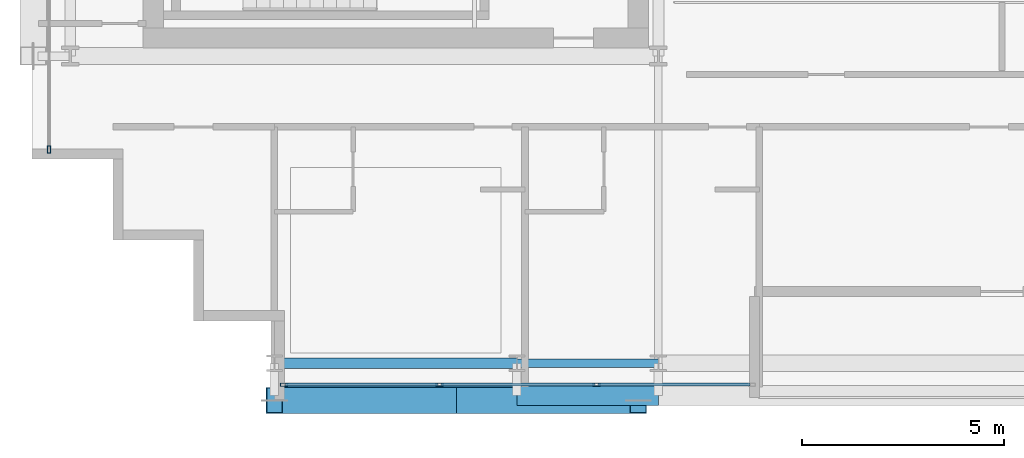
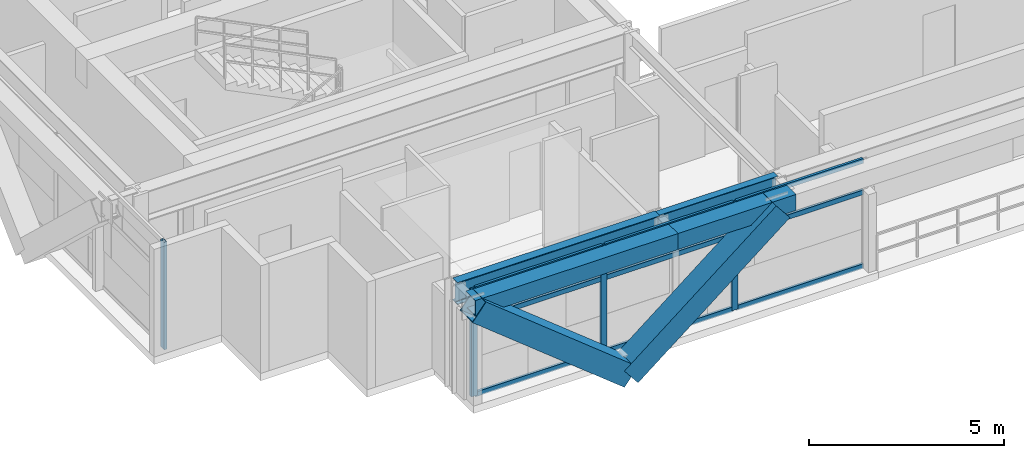
# One storey, part 2 of 32: 15 members, 4 beams, 2 elements without a shape of their own.
"""IFC4 building model written with IfcOpenShell, lengths in metres."""

from ifc_helpers import new_model, si_unit, direction, frame, origin, origin_2d, place, context, subcontext, project, spatial, hollow_rectangle, i_section, extrude, source, transform, mapped, material, layer, layer_set, material_profile, profile_set, type_object, element, aggregate, save


model = new_model("IFC4")

# Units and contexts
model_context = context("Model", 3, precision=1e-05, world=origin(), true_north=direction((0.0, 1.0)))
body_context = subcontext(model_context, "Body", "Model", "MODEL_VIEW")
ifc_project = project(units=[si_unit("LENGTHUNIT", "METRE"), si_unit("AREAUNIT", "SQUARE_METRE"), si_unit("VOLUMEUNIT", "CUBIC_METRE"), si_unit("PLANEANGLEUNIT", "RADIAN"), si_unit("MASSUNIT", "GRAM", prefix="KILO")], contexts=[model_context])

# Site, building, storey
site_placement = place(None, origin())
site = spatial("IfcSite", under=ifc_project, at=site_placement, CompositionType="ELEMENT")
building_placement = place(site_placement, origin())
building = spatial("IfcBuilding", under=site, at=building_placement, Name="Ocotamira Hotel", CompositionType="ELEMENT")
storey_placement = place(building_placement, frame((0.0, 0.0, 177.60009765625)))
storey = spatial("IfcBuildingStorey", under=building, at=storey_placement, Name="L44", CompositionType="ELEMENT", Elevation=177.60009765625)

# Beams
ifc_material_1 = material(Name="Steel ASTM A992 Grade 50", Category="steel")
ifc_material_profile_1 = material_profile(ifc_material_1, i_section(OverallWidth=0.256103515625, OverallDepth=0.693115234375, WebThickness=0.014404296875, FlangeThickness=0.023681640625, FilletRadius=0.01611328125, at=origin_2d()), Name="W27X114")
ifc_profile_set_1 = profile_set([ifc_material_profile_1], Name="Steel ASTM A992 Grade 50")
beam_type_1 = type_object("IfcBeamType", Name="BM-PRIM-W27X114", PredefinedType="BEAM", material=ifc_profile_set_1)
shared_shape_1 = source(origin(), body_context, "Body", "SweptSolid", [
    extrude(i_section(OverallWidth=0.256103515625, OverallDepth=0.693115234375, WebThickness=0.014404296875, FlangeThickness=0.023681640625, FilletRadius=0.01611328125, at=origin_2d()), origin(), (0.0, 0.0, 1.0), 6.0),
])
beam_1_placement = place(storey_placement, frame((14.0, 6.949951171875, 3.0234375), z_axis=(1.0, 0.0, 0.0), x_axis=(0.0, 1.0, 0.0)))
element("IfcBeam", 1, at=beam_1_placement, inside=storey, type_object=beam_type_1, Name="L44 Girder Y6.95 X14-20", PredefinedType="BEAM", context=body_context, shape_type="MappedRepresentation", body=[
    mapped(shared_shape_1, transform((0.0, 0.0, 0.0), scale=1.0)),
])
ifc_material_profile_2 = material_profile(ifc_material_1, i_section(OverallWidth=0.2099609375, OverallDepth=0.537109375, WebThickness=0.010986328125, FlangeThickness=0.017333984375, FilletRadius=0.012939453125, at=origin_2d()), Name="W21X68")
ifc_profile_set_2 = profile_set([ifc_material_profile_2], Name="Steel ASTM A992 Grade 50")
beam_type_2 = type_object("IfcBeamType", Name="BM-SEC-W21X68", PredefinedType="JOIST", material=ifc_profile_set_2)
shared_shape_2 = source(origin(), body_context, "Body", "SweptSolid", [
    extrude(i_section(OverallWidth=0.2099609375, OverallDepth=0.537109375, WebThickness=0.010986328125, FlangeThickness=0.017333984375, FilletRadius=0.012939453125, at=origin_2d()), origin(), (0.0, 0.0, 1.0), 3.5),
])
beam_2_placement = place(storey_placement, frame((20.0, 6.949951171875, 3.101318359375), z_axis=(1.0, 0.0, 0.0), x_axis=(0.0, 1.0, 0.0)))
element("IfcBeam", 2, at=beam_2_placement, inside=storey, type_object=beam_type_2, Name="L44 Girder Y6.95 X20-23.5", PredefinedType="JOIST", context=body_context, shape_type="MappedRepresentation", body=[
    mapped(shared_shape_2, transform((0.0, 0.0, 0.0), scale=1.0)),
])
ifc_material_2 = material(Name="Steel ASTM A500 Grade C", Category="steel")
ifc_material_profile_3 = material_profile(ifc_material_2, hollow_rectangle(XDim=0.5, YDim=0.5, WallThickness=0.02001953125, at=origin_2d()), Name="HSS500X500X20")
ifc_profile_set_3 = profile_set([ifc_material_profile_3], Name="Steel ASTM A500 Grade C")
beam_type_3 = type_object("IfcBeamType", Name="BM-SPAN-HSS500", PredefinedType="USERDEFINED", material=ifc_profile_set_3)
shared_shape_3 = source(origin(), body_context, "Body", "SweptSolid", [
    extrude(hollow_rectangle(XDim=0.5, YDim=0.5, WallThickness=0.02001953125, at=origin_2d()), origin(), (0.0, 0.0, 1.0), 6.0),
])
beam_3_placement = place(storey_placement, frame((14.0, 6.14990234375, 3.119873046875), z_axis=(1.0, 0.0, 0.0), x_axis=(0.0, 1.0, 0.0)))
element("IfcBeam", 3, at=beam_3_placement, inside=storey, type_object=beam_type_3, Name="L44 Edge Spandrel S X14-20", ObjectType="SPANDREL", PredefinedType="USERDEFINED", context=body_context, shape_type="MappedRepresentation", body=[
    mapped(shared_shape_3, transform((0.0, 0.0, 0.0), scale=1.0)),
])
shared_shape_4 = source(origin(), body_context, "Body", "SweptSolid", [
    extrude(hollow_rectangle(XDim=0.5, YDim=0.5, WallThickness=0.02001953125, at=origin_2d()), origin(), (0.0, 0.0, 1.0), 3.5),
])
beam_4_placement = place(storey_placement, frame((20.0, 6.14990234375, 3.119873046875), z_axis=(1.0, 0.0, 0.0), x_axis=(0.0, 1.0, 0.0)))
element("IfcBeam", 4, at=beam_4_placement, inside=storey, type_object=beam_type_3, Name="L44 Edge Spandrel S X20-23.5", ObjectType="SPANDREL", PredefinedType="USERDEFINED", context=body_context, shape_type="MappedRepresentation", body=[
    mapped(shared_shape_4, transform((0.0, 0.0, 0.0), scale=1.0)),
])

# Members
ifc_material_3 = material(Name="Pale-metal coated steel ASTM A913 Grade 65", Category="steel")
ifc_material_profile_4 = material_profile(ifc_material_3, hollow_rectangle(XDim=0.64990234375, YDim=0.64990234375, WallThickness=0.02197265625, at=origin_2d()), Name="BOX650X650X22")
ifc_profile_set_4 = profile_set([ifc_material_profile_4], Name="Pale-metal coated steel ASTM A913 Grade 65")
member_type_1 = type_object("IfcMemberType", Name="MEM-EXO-BOX650", PredefinedType="BRACE", material=ifc_profile_set_4)
shared_shape_5 = source(origin(), body_context, "Body", "SweptSolid", [
    extrude(hollow_rectangle(XDim=0.64990234375, YDim=0.64990234375, WallThickness=0.02197265625, at=origin_2d()), origin(), (0.0, 0.0, 1.0), 5.7626953125),
])
for number, where, z_axis, x_axis, name in (
    (5, (18.5, 6.030029296875, -0.47998046875), (-0.780881208953, 0.0, 0.624679547852), (0.0, -1.0, 0.0), "L44 Exoskeleton Diagrid S0.1"),
    (6, (18.5, 6.030029296875, -0.47998046875), (0.780881208953, 0.0, 0.624679547852), (0.0, 1.0, 0.0), "L44 Exoskeleton Diagrid S0.2"),
):
    element("IfcMember", number, at=place(storey_placement, frame(where, z_axis=z_axis, x_axis=x_axis)), inside=storey, type_object=member_type_1, Name=name, PredefinedType="BRACE", context=body_context, shape_type="MappedRepresentation", body=[
        mapped(shared_shape_5, transform((0.0, 0.0, 0.0), scale=1.0)),
    ])

# Curtain wall, members
ifc_material_4 = material(Name="Anodised pale-metal aluminium and solar glass", Category="aluminium")
ifc_layer = layer(ifc_material_4, 0.199951171875)
ifc_layer_set = layer_set([ifc_layer], Name="Anodised pale-metal aluminium and solar glass")
curtain_wall_type = type_object("IfcCurtainWallType", Name="CW-SYS4-Z3", PredefinedType="NOTDEFINED", material=ifc_layer_set)
curtain_wall_1_placement = place(storey_placement, origin())
curtain_wall_1 = element("IfcCurtainWall", 7, at=curtain_wall_1_placement, inside=storey, type_object=curtain_wall_type, Name="L44 Curtain Wall CW-4 CW-L44-S1", PredefinedType="NOTDEFINED")
ifc_material_5 = material(Name="Anodised pale-metal aluminium 6063-T6", Category="aluminium")
ifc_material_profile_5 = material_profile(ifc_material_5, hollow_rectangle(XDim=0.080078125, YDim=0.179931640625, WallThickness=0.006103515625, at=origin_2d()), Name="HSS180X80X6")
ifc_profile_set_5 = profile_set([ifc_material_profile_5], Name="Anodised pale-metal aluminium 6063-T6")
member_type_2 = type_object("IfcMemberType", Name="CWM-180X75", PredefinedType="MULLION", material=ifc_profile_set_5)
shared_shape_6 = source(origin(), body_context, "Body", "SweptSolid", [
    extrude(hollow_rectangle(XDim=0.080078125, YDim=0.179931640625, WallThickness=0.006103515625, at=origin_2d()), origin(), (0.0, 0.0, 1.0), 3.369873046875),
])
member_1_placement = place(storey_placement, frame((14.239990234375, 6.419921875, 0.0), z_axis=(0.0, 0.0, 1.0), x_axis=(0.0, 1.0, 0.0)))
member_1 = element("IfcMember", 8, at=member_1_placement, type_object=member_type_2, Name="CW-4 mullion 1", PredefinedType="MULLION", context=body_context, shape_type="MappedRepresentation", body=[
    mapped(shared_shape_6, transform((0.0, 0.0, 0.0), scale=1.0)),
])
member_2_placement = place(storey_placement, frame((18.083251953125, 6.419921875, 0.0), z_axis=(0.0, 0.0, 1.0), x_axis=(0.0, 1.0, 0.0)))
member_2 = element("IfcMember", 9, at=member_2_placement, type_object=member_type_2, Name="CW-4 mullion 2", PredefinedType="MULLION", context=body_context, shape_type="MappedRepresentation", body=[
    mapped(shared_shape_6, transform((0.0, 0.0, 0.0), scale=1.0)),
])
member_3_placement = place(storey_placement, frame((21.966552734375, 6.419921875, 0.0), z_axis=(0.0, 0.0, 1.0), x_axis=(0.0, 1.0, 0.0)))
member_3 = element("IfcMember", 10, at=member_3_placement, type_object=member_type_2, Name="CW-4 mullion 3", PredefinedType="MULLION", context=body_context, shape_type="MappedRepresentation", body=[
    mapped(shared_shape_6, transform((0.0, 0.0, 0.0), scale=1.0)),
])

# Curtain wall, member
curtain_wall_2_placement = place(storey_placement, origin())
curtain_wall_2 = element("IfcCurtainWall", 11, at=curtain_wall_2_placement, inside=storey, type_object=curtain_wall_type, Name="L44 Curtain Wall CW-4 CW-L44-W", PredefinedType="NOTDEFINED")
member_4_placement = place(storey_placement, frame((8.419921875, 12.239990234375, 0.0), z_axis=(0.0, 0.0, 1.0), x_axis=(-1.0, 0.0, 0.0)))
member_4 = element("IfcMember", 12, at=member_4_placement, type_object=member_type_2, Name="CW-4 mullion 1", PredefinedType="MULLION", context=body_context, shape_type="MappedRepresentation", body=[
    mapped(shared_shape_6, transform((0.0, 0.0, 0.0), scale=1.0)),
])
aggregate(curtain_wall_2, [member_4])

# Member
ifc_material_profile_6 = material_profile(ifc_material_5, hollow_rectangle(XDim=0.074951171875, YDim=0.14990234375, WallThickness=0.006103515625, at=origin_2d()), Name="HSS150X75X6")
ifc_profile_set_6 = profile_set([ifc_material_profile_6], Name="Anodised pale-metal aluminium 6063-T6")
member_type_3 = type_object("IfcMemberType", Name="CWT-150X75", PredefinedType="USERDEFINED", material=ifc_profile_set_6)
shared_shape_7 = source(origin(), body_context, "Body", "SweptSolid", [
    extrude(hollow_rectangle(XDim=0.074951171875, YDim=0.14990234375, WallThickness=0.006103515625, at=origin_2d()), origin(), (0.0, 0.0, 1.0), 3.76318359375),
])
member_5_placement = place(storey_placement, frame((14.280029296875, 6.419921875, 0.037353515625), z_axis=(1.0, 0.0, 0.0), x_axis=(0.0, 1.0, 0.0)))
member_5 = element("IfcMember", 13, at=member_5_placement, type_object=member_type_3, Name="CW-4 transom 1.1", ObjectType="TRANSOM", PredefinedType="USERDEFINED", context=body_context, shape_type="MappedRepresentation", body=[
    mapped(shared_shape_7, transform((0.0, 0.0, 0.0), scale=1.0)),
])

member_6_placement = place(storey_placement, frame((14.280029296875, 6.419921875, 2.349853515625), z_axis=(1.0, 0.0, 0.0), x_axis=(0.0, 1.0, 0.0)))
member_6 = element("IfcMember", 14, at=member_6_placement, type_object=member_type_3, Name="CW-4 transom 1.2", ObjectType="TRANSOM", PredefinedType="USERDEFINED", context=body_context, shape_type="MappedRepresentation", body=[
    mapped(shared_shape_7, transform((0.0, 0.0, 0.0), scale=1.0)),
])

member_7_placement = place(storey_placement, frame((14.280029296875, 6.419921875, 3.33251953125), z_axis=(1.0, 0.0, 0.0), x_axis=(0.0, 1.0, 0.0)))
member_7 = element("IfcMember", 15, at=member_7_placement, type_object=member_type_3, Name="CW-4 transom 1.3", ObjectType="TRANSOM", PredefinedType="USERDEFINED", context=body_context, shape_type="MappedRepresentation", body=[
    mapped(shared_shape_7, transform((0.0, 0.0, 0.0), scale=1.0)),
])

shared_shape_8 = source(origin(), body_context, "Body", "SweptSolid", [
    extrude(hollow_rectangle(XDim=0.074951171875, YDim=0.14990234375, WallThickness=0.006103515625, at=origin_2d()), origin(), (0.0, 0.0, 1.0), 3.803466796875),
])
member_8_placement = place(storey_placement, frame((18.123291015625, 6.419921875, 0.037353515625), z_axis=(1.0, 0.0, 0.0), x_axis=(0.0, 1.0, 0.0)))
member_8 = element("IfcMember", 16, at=member_8_placement, type_object=member_type_3, Name="CW-4 transom 2.1", ObjectType="TRANSOM", PredefinedType="USERDEFINED", context=body_context, shape_type="MappedRepresentation", body=[
    mapped(shared_shape_8, transform((0.0, 0.0, 0.0), scale=1.0)),
])

member_9_placement = place(storey_placement, frame((18.123291015625, 6.419921875, 2.349853515625), z_axis=(1.0, 0.0, 0.0), x_axis=(0.0, 1.0, 0.0)))
member_9 = element("IfcMember", 17, at=member_9_placement, type_object=member_type_3, Name="CW-4 transom 2.2", ObjectType="TRANSOM", PredefinedType="USERDEFINED", context=body_context, shape_type="MappedRepresentation", body=[
    mapped(shared_shape_8, transform((0.0, 0.0, 0.0), scale=1.0)),
])

member_10_placement = place(storey_placement, frame((18.123291015625, 6.419921875, 3.33251953125), z_axis=(1.0, 0.0, 0.0), x_axis=(0.0, 1.0, 0.0)))
member_10 = element("IfcMember", 18, at=member_10_placement, type_object=member_type_3, Name="CW-4 transom 2.3", ObjectType="TRANSOM", PredefinedType="USERDEFINED", context=body_context, shape_type="MappedRepresentation", body=[
    mapped(shared_shape_8, transform((0.0, 0.0, 0.0), scale=1.0)),
])

shared_shape_9 = source(origin(), body_context, "Body", "SweptSolid", [
    extrude(hollow_rectangle(XDim=0.074951171875, YDim=0.14990234375, WallThickness=0.006103515625, at=origin_2d()), origin(), (0.0, 0.0, 1.0), 3.763427734375),
])
member_11_placement = place(storey_placement, frame((22.006591796875, 6.419921875, 0.037353515625), z_axis=(1.0, 0.0, 0.0), x_axis=(0.0, 1.0, 0.0)))
member_11 = element("IfcMember", 19, at=member_11_placement, type_object=member_type_3, Name="CW-4 transom 3.1", ObjectType="TRANSOM", PredefinedType="USERDEFINED", context=body_context, shape_type="MappedRepresentation", body=[
    mapped(shared_shape_9, transform((0.0, 0.0, 0.0), scale=1.0)),
])

member_12_placement = place(storey_placement, frame((22.006591796875, 6.419921875, 2.349853515625), z_axis=(1.0, 0.0, 0.0), x_axis=(0.0, 1.0, 0.0)))
member_12 = element("IfcMember", 20, at=member_12_placement, type_object=member_type_3, Name="CW-4 transom 3.2", ObjectType="TRANSOM", PredefinedType="USERDEFINED", context=body_context, shape_type="MappedRepresentation", body=[
    mapped(shared_shape_9, transform((0.0, 0.0, 0.0), scale=1.0)),
])

member_13_placement = place(storey_placement, frame((22.006591796875, 6.419921875, 3.33251953125), z_axis=(1.0, 0.0, 0.0), x_axis=(0.0, 1.0, 0.0)))
member_13 = element("IfcMember", 21, at=member_13_placement, type_object=member_type_3, Name="CW-4 transom 3.3", ObjectType="TRANSOM", PredefinedType="USERDEFINED", context=body_context, shape_type="MappedRepresentation", body=[
    mapped(shared_shape_9, transform((0.0, 0.0, 0.0), scale=1.0)),
])

aggregate(curtain_wall_1, [member_1, member_2, member_3, member_5, member_6, member_7, member_8, member_9, member_10, member_11, member_12, member_13])

save(model, "model.ifc")
